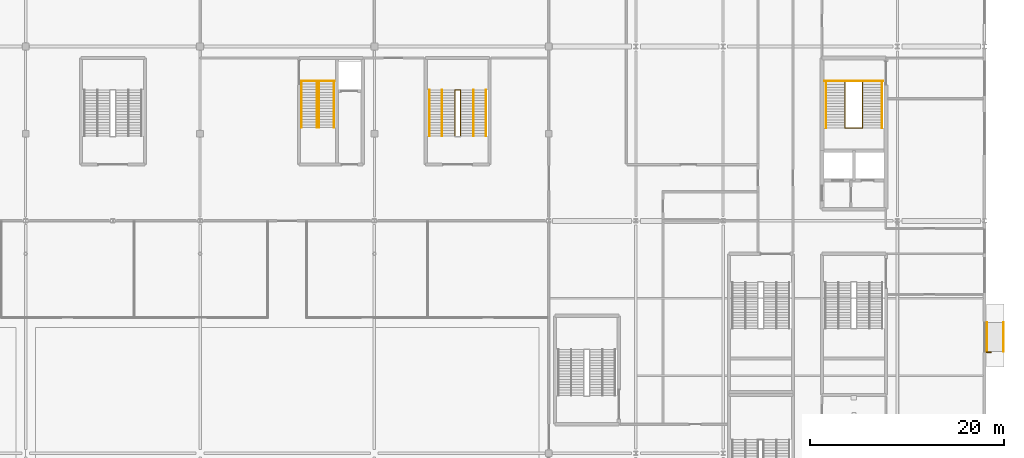
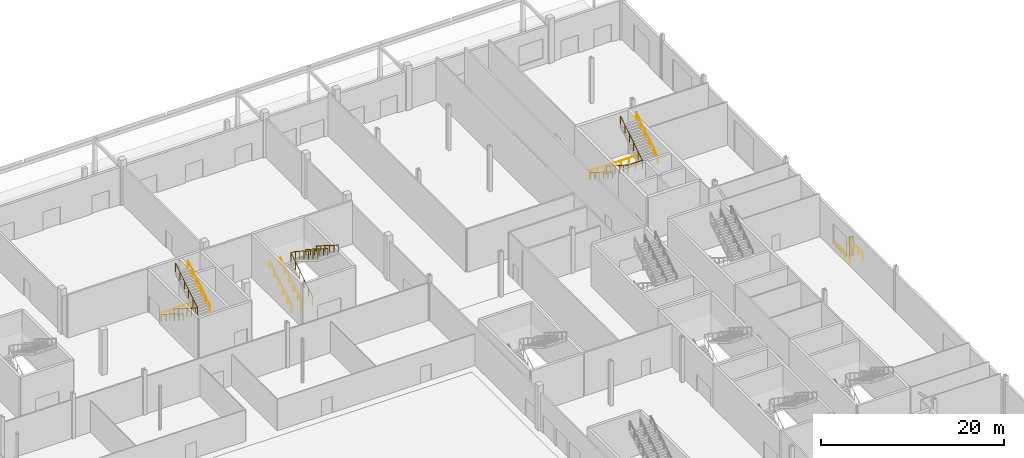
# One storey, part 81 of 84: 15 railings, 1 shading device.
"""IFC4 building model written with IfcOpenShell, lengths in metres."""

from ifc_helpers import new_model, si_unit, direction, frame, origin, origin_2d, place, context, subcontext, project, spatial, rectangle, circle, extrude, material, type_object, element, save


model = new_model("IFC4")

# Units and contexts
model_context = context("Model", 3, precision=1e-05, world=origin(), true_north=direction((0.0, 1.0)))
body_context = subcontext(model_context, "Body", "Model", "MODEL_VIEW")
ifc_project = project(units=[si_unit("LENGTHUNIT", "METRE"), si_unit("AREAUNIT", "SQUARE_METRE"), si_unit("VOLUMEUNIT", "CUBIC_METRE"), si_unit("PLANEANGLEUNIT", "RADIAN"), si_unit("MASSUNIT", "GRAM", prefix="KILO")], contexts=[model_context])

# Site, building, storey
site_placement = place(None, origin())
site = spatial("IfcSite", under=ifc_project, at=site_placement, CompositionType="ELEMENT")
building_placement = place(site_placement, origin())
building = spatial("IfcBuilding", under=site, at=building_placement, Name="Kisiwana Market Hall", CompositionType="ELEMENT")
storey_placement = place(building_placement, origin())
storey = spatial("IfcBuildingStorey", under=building, at=storey_placement, Name="L00", CompositionType="ELEMENT", Elevation=0.0)

# Railings
ifc_material_1 = material(Name="Steel S275", Category="steel")
railing_type_1 = type_object("IfcRailingType", Name="RL-GUARD-1100", PredefinedType="GUARDRAIL", material=ifc_material_1)
railing_1_placement = place(storey_placement, frame((183.60009765625, 98.3505859375, 0.0)))
element("IfcRailing", 1, at=railing_1_placement, inside=storey, type_object=railing_type_1, Name="Stair ST-E1-L00 inner-well guardrail (RL-159)", PredefinedType="GUARDRAIL", context=body_context, shape_type="SweptSolid", body=[
    extrude(circle(Radius=0.02392578125, at=origin_2d()), frame((0.0, 0.0, 1.076171875), z_axis=(0.0, -0.845995810448, 0.533189542944), x_axis=(1.0, 0.0, 0.0)), (0.0, 0.0, 1.0), 5.62646484375),
    extrude(circle(Radius=0.02392578125, at=origin_2d()), frame((0.0, -4.760009765625, 4.076171875), z_axis=(1.0, 0.0, 0.0), x_axis=(0.0, 1.0, 0.0)), (0.0, 0.0, 1.0), 1.7998046875),
    extrude(circle(Radius=0.02392578125, at=origin_2d()), frame((1.7998046875, -4.760009765625, 4.076171875), z_axis=(0.0, 0.845995810448, 0.533189542944), x_axis=(-1.0, 0.0, 0.0)), (0.0, 0.0, 1.0), 5.62646484375),
    extrude(circle(Radius=0.02099609375, at=origin_2d()), origin(), (0.0, 0.0, 1.0), 1.052001953125),
    extrude(circle(Radius=0.02099609375, at=origin_2d()), frame((0.0, -0.951904296875, 0.60009765625)), (0.0, 0.0, 1.0), 1.052001953125),
    extrude(circle(Radius=0.02099609375, at=origin_2d()), frame((0.0, -1.904052734375, 1.199951171875)), (0.0, 0.0, 1.0), 1.052001953125),
    extrude(circle(Radius=0.02099609375, at=origin_2d()), frame((0.0, -2.85595703125, 1.800048828125)), (0.0, 0.0, 1.0), 1.052001953125),
    extrude(circle(Radius=0.02099609375, at=origin_2d()), frame((0.0, -3.80810546875, 2.39990234375)), (0.0, 0.0, 1.0), 1.052001953125),
    extrude(circle(Radius=0.02099609375, at=origin_2d()), frame((0.0, -4.760009765625, 3.0)), (0.0, 0.0, 1.0), 1.052001953125),
    extrude(circle(Radius=0.02099609375, at=origin_2d()), frame((0.89990234375, -4.760009765625, 3.0)), (0.0, 0.0, 1.0), 1.052001953125),
    extrude(circle(Radius=0.02099609375, at=origin_2d()), frame((1.7998046875, -4.760009765625, 3.0)), (0.0, 0.0, 1.0), 1.052001953125),
    extrude(circle(Radius=0.02099609375, at=origin_2d()), frame((1.7998046875, -3.80810546875, 3.60009765625)), (0.0, 0.0, 1.0), 1.052001953125),
    extrude(circle(Radius=0.02099609375, at=origin_2d()), frame((1.7998046875, -2.85595703125, 4.199951171875)), (0.0, 0.0, 1.0), 1.052001953125),
    extrude(circle(Radius=0.02099609375, at=origin_2d()), frame((1.7998046875, -1.904052734375, 4.800048828125)), (0.0, 0.0, 1.0), 1.052001953125),
    extrude(circle(Radius=0.02099609375, at=origin_2d()), frame((1.7998046875, -0.951904296875, 5.39990234375)), (0.0, 0.0, 1.0), 1.052001953125),
    extrude(circle(Radius=0.02099609375, at=origin_2d()), frame((1.7998046875, 0.0, 6.0)), (0.0, 0.0, 1.0), 1.052001953125),
])
railing_2_placement = place(storey_placement, frame((181.47998046875, 98.430419921875, 0.0)))
element("IfcRailing", 2, at=railing_2_placement, inside=storey, type_object=railing_type_1, Name="Stair ST-E1-L00 landing edge guardrail (RL-162)", PredefinedType="GUARDRAIL", context=body_context, shape_type="SweptSolid", body=[
    extrude(circle(Radius=0.02392578125, at=origin_2d()), frame((0.0, 0.0, 1.076171875), z_axis=(1.0, 0.0, 0.0), x_axis=(0.0, 1.0, 0.0)), (0.0, 0.0, 1.0), 6.0400390625),
    extrude(circle(Radius=0.02099609375, at=origin_2d()), origin(), (0.0, 0.0, 1.0), 1.052001953125),
    extrude(circle(Radius=0.02099609375, at=origin_2d()), frame((1.006591796875, 0.0, 0.0)), (0.0, 0.0, 1.0), 1.052001953125),
    extrude(circle(Radius=0.02099609375, at=origin_2d()), frame((2.013427734375, 0.0, 0.0)), (0.0, 0.0, 1.0), 1.052001953125),
    extrude(circle(Radius=0.02099609375, at=origin_2d()), frame((3.02001953125, 0.0, 0.0)), (0.0, 0.0, 1.0), 1.052001953125),
    extrude(circle(Radius=0.02099609375, at=origin_2d()), frame((4.026611328125, 0.0, 0.0)), (0.0, 0.0, 1.0), 1.052001953125),
    extrude(circle(Radius=0.02099609375, at=origin_2d()), frame((5.033447265625, 0.0, 0.0)), (0.0, 0.0, 1.0), 1.052001953125),
    extrude(circle(Radius=0.02099609375, at=origin_2d()), frame((6.0400390625, 0.0, 0.0)), (0.0, 0.0, 1.0), 1.052001953125),
])
railing_3_placement = place(storey_placement, frame((129.06005859375, 98.390380859375, 0.0)))
element("IfcRailing", 3, at=railing_3_placement, inside=storey, type_object=railing_type_1, Name="Stair ST-N2-L00 inner-well guardrail (RL-175)", PredefinedType="GUARDRAIL", context=body_context, shape_type="SweptSolid", body=[
    extrude(circle(Radius=0.02392578125, at=origin_2d()), frame((0.0, 0.0, 1.076171875), z_axis=(0.0, -0.845983474072, 0.533209116198), x_axis=(1.0, 0.0, 0.0)), (0.0, 0.0, 1.0), 5.626220703125),
    extrude(circle(Radius=0.02392578125, at=origin_2d()), frame((0.0, -4.759765625, 4.076171875), z_axis=(1.0, 0.0, 0.0), x_axis=(0.0, 1.0, 0.0)), (0.0, 0.0, 1.0), 0.199951171875),
    extrude(circle(Radius=0.02392578125, at=origin_2d()), frame((0.199951171875, -4.759765625, 4.076171875), z_axis=(0.0, 0.845983474072, 0.533209116198), x_axis=(-1.0, 0.0, 0.0)), (0.0, 0.0, 1.0), 5.626220703125),
    extrude(circle(Radius=0.02099609375, at=origin_2d()), origin(), (0.0, 0.0, 1.0), 1.052001953125),
    extrude(circle(Radius=0.02099609375, at=origin_2d()), frame((0.0, -0.951904296875, 0.60009765625)), (0.0, 0.0, 1.0), 1.052001953125),
    extrude(circle(Radius=0.02099609375, at=origin_2d()), frame((0.0, -1.90380859375, 1.199951171875)), (0.0, 0.0, 1.0), 1.052001953125),
    extrude(circle(Radius=0.02099609375, at=origin_2d()), frame((0.0, -2.85595703125, 1.800048828125)), (0.0, 0.0, 1.0), 1.052001953125),
    extrude(circle(Radius=0.02099609375, at=origin_2d()), frame((0.0, -3.807861328125, 2.39990234375)), (0.0, 0.0, 1.0), 1.052001953125),
    extrude(circle(Radius=0.02099609375, at=origin_2d()), frame((0.0, -4.759765625, 3.0)), (0.0, 0.0, 1.0), 1.052001953125),
    extrude(circle(Radius=0.02099609375, at=origin_2d()), frame((0.199951171875, -4.759765625, 3.0)), (0.0, 0.0, 1.0), 1.052001953125),
    extrude(circle(Radius=0.02099609375, at=origin_2d()), frame((0.199951171875, -3.807861328125, 3.60009765625)), (0.0, 0.0, 1.0), 1.052001953125),
    extrude(circle(Radius=0.02099609375, at=origin_2d()), frame((0.199951171875, -2.85595703125, 4.199951171875)), (0.0, 0.0, 1.0), 1.052001953125),
    extrude(circle(Radius=0.02099609375, at=origin_2d()), frame((0.199951171875, -1.90380859375, 4.800048828125)), (0.0, 0.0, 1.0), 1.052001953125),
    extrude(circle(Radius=0.02099609375, at=origin_2d()), frame((0.199951171875, -0.951904296875, 5.39990234375)), (0.0, 0.0, 1.0), 1.052001953125),
    extrude(circle(Radius=0.02099609375, at=origin_2d()), frame((0.199951171875, 0.0, 6.0)), (0.0, 0.0, 1.0), 1.052001953125),
])
railing_4_placement = place(storey_placement, frame((127.419921875, 98.450439453125, 0.0)))
element("IfcRailing", 4, at=railing_4_placement, inside=storey, type_object=railing_type_1, Name="Stair ST-N2-L00 landing edge guardrail (RL-178)", PredefinedType="GUARDRAIL", context=body_context, shape_type="SweptSolid", body=[
    extrude(circle(Radius=0.02392578125, at=origin_2d()), frame((0.0, 0.0, 1.076171875), z_axis=(1.0, 0.0, 0.0), x_axis=(0.0, 1.0, 0.0)), (0.0, 0.0, 1.0), 3.47998046875),
    extrude(circle(Radius=0.02099609375, at=origin_2d()), origin(), (0.0, 0.0, 1.0), 1.052001953125),
    extrude(circle(Radius=0.02099609375, at=origin_2d()), frame((1.159912109375, 0.0, 0.0)), (0.0, 0.0, 1.0), 1.052001953125),
    extrude(circle(Radius=0.02099609375, at=origin_2d()), frame((2.320068359375, 0.0, 0.0)), (0.0, 0.0, 1.0), 1.052001953125),
    extrude(circle(Radius=0.02099609375, at=origin_2d()), frame((3.47998046875, 0.0, 0.0)), (0.0, 0.0, 1.0), 1.052001953125),
])
railing_5_placement = place(storey_placement, frame((143.320068359375, 92.760009765625, 0.0)))
element("IfcRailing", 5, at=railing_5_placement, inside=storey, type_object=railing_type_1, Name="Stair ST-N6-L00 inner-well guardrail (RL-305)", PredefinedType="GUARDRAIL", context=body_context, shape_type="SweptSolid", body=[
    extrude(circle(Radius=0.02392578125, at=origin_2d()), frame((0.0, 0.0, 1.076171875), z_axis=(0.0, 0.845995810448, 0.533189542944), x_axis=(-1.0, 0.0, 0.0)), (0.0, 0.0, 1.0), 5.62646484375),
    extrude(circle(Radius=0.02392578125, at=origin_2d()), frame((0.0, 4.760009765625, 4.076171875), z_axis=(1.0, 0.0, 0.0), x_axis=(0.0, 1.0, 0.0)), (0.0, 0.0, 1.0), 0.559814453125),
    extrude(circle(Radius=0.02392578125, at=origin_2d()), frame((0.559814453125, 4.760009765625, 4.076171875), z_axis=(0.0, -0.845995810448, 0.533189542944), x_axis=(1.0, 0.0, 0.0)), (0.0, 0.0, 1.0), 5.62646484375),
    extrude(circle(Radius=0.02099609375, at=origin_2d()), origin(), (0.0, 0.0, 1.0), 1.052001953125),
    extrude(circle(Radius=0.02099609375, at=origin_2d()), frame((0.0, 0.951904296875, 0.60009765625)), (0.0, 0.0, 1.0), 1.052001953125),
    extrude(circle(Radius=0.02099609375, at=origin_2d()), frame((0.0, 1.904052734375, 1.199951171875)), (0.0, 0.0, 1.0), 1.052001953125),
    extrude(circle(Radius=0.02099609375, at=origin_2d()), frame((0.0, 2.85595703125, 1.800048828125)), (0.0, 0.0, 1.0), 1.052001953125),
    extrude(circle(Radius=0.02099609375, at=origin_2d()), frame((0.0, 3.80810546875, 2.39990234375)), (0.0, 0.0, 1.0), 1.052001953125),
    extrude(circle(Radius=0.02099609375, at=origin_2d()), frame((0.0, 4.760009765625, 3.0)), (0.0, 0.0, 1.0), 1.052001953125),
    extrude(circle(Radius=0.02099609375, at=origin_2d()), frame((0.559814453125, 4.760009765625, 3.0)), (0.0, 0.0, 1.0), 1.052001953125),
    extrude(circle(Radius=0.02099609375, at=origin_2d()), frame((0.559814453125, 3.80810546875, 3.60009765625)), (0.0, 0.0, 1.0), 1.052001953125),
    extrude(circle(Radius=0.02099609375, at=origin_2d()), frame((0.559814453125, 2.85595703125, 4.199951171875)), (0.0, 0.0, 1.0), 1.052001953125),
    extrude(circle(Radius=0.02099609375, at=origin_2d()), frame((0.559814453125, 1.904052734375, 4.800048828125)), (0.0, 0.0, 1.0), 1.052001953125),
    extrude(circle(Radius=0.02099609375, at=origin_2d()), frame((0.559814453125, 0.951904296875, 5.39990234375)), (0.0, 0.0, 1.0), 1.052001953125),
    extrude(circle(Radius=0.02099609375, at=origin_2d()), frame((0.559814453125, 0.0, 6.0)), (0.0, 0.0, 1.0), 1.052001953125),
])
ifc_material_2 = material(Name="Steel S275", Category="steel")
railing_type_2 = type_object("IfcRailingType", Name="RL-HAND-900", PredefinedType="HANDRAIL", material=ifc_material_2)
for number, where, name in (
    (6, (198.260009765625, 70.5, -0.25), "East Foyer North Ramp handrail L 900 RL-011"),
    (7, (199.93994140625, 70.5, -0.25), "East Foyer North Ramp handrail R 900 RL-012"),
):
    element("IfcRailing", number, at=place(storey_placement, frame(where)), inside=storey, type_object=railing_type_2, Name=name, PredefinedType="HANDRAIL", context=body_context, shape_type="SweptSolid", body=[
        extrude(circle(Radius=0.02392578125, at=origin_2d()), frame((0.0, 0.0, 0.8759765625), z_axis=(0.0, 0.996545758245, 0.083045479854), x_axis=(-1.0, 0.0, 0.0)), (0.0, 0.0, 1.0), 3.010498046875),
        extrude(circle(Radius=0.02099609375, at=origin_2d()), origin(), (0.0, 0.0, 1.0), 0.851806640625),
        extrude(circle(Radius=0.02099609375, at=origin_2d()), frame((0.0, 1.0, 0.083251953125)), (0.0, 0.0, 1.0), 0.851806640625),
        extrude(circle(Radius=0.02099609375, at=origin_2d()), frame((0.0, 2.0, 0.166748046875)), (0.0, 0.0, 1.0), 0.851806640625),
        extrude(circle(Radius=0.02099609375, at=origin_2d()), frame((0.0, 3.0, 0.25)), (0.0, 0.0, 1.0), 0.851806640625),
    ])
railing_6_placement = place(storey_placement, frame((181.610107421875, 98.3505859375, 0.0)))
element("IfcRailing", 8, at=railing_6_placement, inside=storey, type_object=railing_type_2, Name="Stair ST-E1-L00 flight 1 handrail (RL-160)", PredefinedType="HANDRAIL", context=body_context, shape_type="SweptSolid", body=[
    extrude(circle(Radius=0.02392578125, at=origin_2d()), frame((0.0, 0.0, 0.8759765625), z_axis=(0.0, -0.845995810448, 0.533189542944), x_axis=(1.0, 0.0, 0.0)), (0.0, 0.0, 1.0), 5.62646484375),
    extrude(circle(Radius=0.02099609375, at=origin_2d()), origin(), (0.0, 0.0, 1.0), 0.851806640625),
    extrude(circle(Radius=0.02099609375, at=origin_2d()), frame((0.0, -0.951904296875, 0.60009765625)), (0.0, 0.0, 1.0), 0.851806640625),
    extrude(circle(Radius=0.02099609375, at=origin_2d()), frame((0.0, -1.904052734375, 1.199951171875)), (0.0, 0.0, 1.0), 0.851806640625),
    extrude(circle(Radius=0.02099609375, at=origin_2d()), frame((0.0, -2.85595703125, 1.800048828125)), (0.0, 0.0, 1.0), 0.851806640625),
    extrude(circle(Radius=0.02099609375, at=origin_2d()), frame((0.0, -3.80810546875, 2.39990234375)), (0.0, 0.0, 1.0), 0.851806640625),
    extrude(circle(Radius=0.02099609375, at=origin_2d()), frame((0.0, -4.760009765625, 3.0)), (0.0, 0.0, 1.0), 0.851806640625),
])
railing_7_placement = place(storey_placement, frame((187.389892578125, 93.590576171875, 3.0)))
element("IfcRailing", 9, at=railing_7_placement, inside=storey, type_object=railing_type_2, Name="Stair ST-E1-L00 flight 2 handrail (RL-161)", PredefinedType="HANDRAIL", context=body_context, shape_type="SweptSolid", body=[
    extrude(circle(Radius=0.02392578125, at=origin_2d()), frame((0.0, 0.0, 0.8759765625), z_axis=(0.0, 0.845995810448, 0.533189542944), x_axis=(-1.0, 0.0, 0.0)), (0.0, 0.0, 1.0), 5.62646484375),
    extrude(circle(Radius=0.02099609375, at=origin_2d()), origin(), (0.0, 0.0, 1.0), 0.851806640625),
    extrude(circle(Radius=0.02099609375, at=origin_2d()), frame((0.0, 0.951904296875, 0.60009765625)), (0.0, 0.0, 1.0), 0.851806640625),
    extrude(circle(Radius=0.02099609375, at=origin_2d()), frame((0.0, 1.904052734375, 1.199951171875)), (0.0, 0.0, 1.0), 0.851806640625),
    extrude(circle(Radius=0.02099609375, at=origin_2d()), frame((0.0, 2.85595703125, 1.800048828125)), (0.0, 0.0, 1.0), 0.851806640625),
    extrude(circle(Radius=0.02099609375, at=origin_2d()), frame((0.0, 3.80810546875, 2.39990234375)), (0.0, 0.0, 1.0), 0.851806640625),
    extrude(circle(Radius=0.02099609375, at=origin_2d()), frame((0.0, 4.760009765625, 3.0)), (0.0, 0.0, 1.0), 0.851806640625),
])
railing_8_placement = place(storey_placement, frame((127.47998046875, 98.390380859375, 0.0)))
element("IfcRailing", 10, at=railing_8_placement, inside=storey, type_object=railing_type_2, Name="Stair ST-N2-L00 flight 1 handrail (RL-176)", PredefinedType="HANDRAIL", context=body_context, shape_type="SweptSolid", body=[
    extrude(circle(Radius=0.02392578125, at=origin_2d()), frame((0.0, 0.0, 0.8759765625), z_axis=(0.0, -0.845983474072, 0.533209116198), x_axis=(1.0, 0.0, 0.0)), (0.0, 0.0, 1.0), 5.626220703125),
    extrude(circle(Radius=0.02099609375, at=origin_2d()), origin(), (0.0, 0.0, 1.0), 0.851806640625),
    extrude(circle(Radius=0.02099609375, at=origin_2d()), frame((0.0, -0.951904296875, 0.60009765625)), (0.0, 0.0, 1.0), 0.851806640625),
    extrude(circle(Radius=0.02099609375, at=origin_2d()), frame((0.0, -1.90380859375, 1.199951171875)), (0.0, 0.0, 1.0), 0.851806640625),
    extrude(circle(Radius=0.02099609375, at=origin_2d()), frame((0.0, -2.85595703125, 1.800048828125)), (0.0, 0.0, 1.0), 0.851806640625),
    extrude(circle(Radius=0.02099609375, at=origin_2d()), frame((0.0, -3.807861328125, 2.39990234375)), (0.0, 0.0, 1.0), 0.851806640625),
    extrude(circle(Radius=0.02099609375, at=origin_2d()), frame((0.0, -4.759765625, 3.0)), (0.0, 0.0, 1.0), 0.851806640625),
])
railing_9_placement = place(storey_placement, frame((130.840087890625, 93.630615234375, 3.0)))
element("IfcRailing", 11, at=railing_9_placement, inside=storey, type_object=railing_type_2, Name="Stair ST-N2-L00 flight 2 handrail (RL-177)", PredefinedType="HANDRAIL", context=body_context, shape_type="SweptSolid", body=[
    extrude(circle(Radius=0.02392578125, at=origin_2d()), frame((0.0, 0.0, 0.8759765625), z_axis=(0.0, 0.845983474072, 0.533209116198), x_axis=(-1.0, 0.0, 0.0)), (0.0, 0.0, 1.0), 5.626220703125),
    extrude(circle(Radius=0.02099609375, at=origin_2d()), origin(), (0.0, 0.0, 1.0), 0.851806640625),
    extrude(circle(Radius=0.02099609375, at=origin_2d()), frame((0.0, 0.951904296875, 0.60009765625)), (0.0, 0.0, 1.0), 0.851806640625),
    extrude(circle(Radius=0.02099609375, at=origin_2d()), frame((0.0, 1.90380859375, 1.199951171875)), (0.0, 0.0, 1.0), 0.851806640625),
    extrude(circle(Radius=0.02099609375, at=origin_2d()), frame((0.0, 2.85595703125, 1.800048828125)), (0.0, 0.0, 1.0), 0.851806640625),
    extrude(circle(Radius=0.02099609375, at=origin_2d()), frame((0.0, 3.807861328125, 2.39990234375)), (0.0, 0.0, 1.0), 0.851806640625),
    extrude(circle(Radius=0.02099609375, at=origin_2d()), frame((0.0, 4.759765625, 3.0)), (0.0, 0.0, 1.0), 0.851806640625),
])
railing_10_placement = place(storey_placement, frame((140.669921875, 92.760009765625, 0.0)))
element("IfcRailing", 12, at=railing_10_placement, inside=storey, type_object=railing_type_2, Name="Stair ST-N6-L00 flight 1 handrail (RL-306)", PredefinedType="HANDRAIL", context=body_context, shape_type="SweptSolid", body=[
    extrude(circle(Radius=0.02392578125, at=origin_2d()), frame((0.0, 0.0, 0.8759765625), z_axis=(0.0, 0.845995810448, 0.533189542944), x_axis=(-1.0, 0.0, 0.0)), (0.0, 0.0, 1.0), 5.62646484375),
    extrude(circle(Radius=0.02099609375, at=origin_2d()), origin(), (0.0, 0.0, 1.0), 0.851806640625),
    extrude(circle(Radius=0.02099609375, at=origin_2d()), frame((0.0, 0.951904296875, 0.60009765625)), (0.0, 0.0, 1.0), 0.851806640625),
    extrude(circle(Radius=0.02099609375, at=origin_2d()), frame((0.0, 1.904052734375, 1.199951171875)), (0.0, 0.0, 1.0), 0.851806640625),
    extrude(circle(Radius=0.02099609375, at=origin_2d()), frame((0.0, 2.85595703125, 1.800048828125)), (0.0, 0.0, 1.0), 0.851806640625),
    extrude(circle(Radius=0.02099609375, at=origin_2d()), frame((0.0, 3.80810546875, 2.39990234375)), (0.0, 0.0, 1.0), 0.851806640625),
    extrude(circle(Radius=0.02099609375, at=origin_2d()), frame((0.0, 4.760009765625, 3.0)), (0.0, 0.0, 1.0), 0.851806640625),
])
railing_11_placement = place(storey_placement, frame((146.530029296875, 97.52001953125, 3.0)))
element("IfcRailing", 13, at=railing_11_placement, inside=storey, type_object=railing_type_2, Name="Stair ST-N6-L00 flight 2 handrail (RL-307)", PredefinedType="HANDRAIL", context=body_context, shape_type="SweptSolid", body=[
    extrude(circle(Radius=0.02392578125, at=origin_2d()), frame((0.0, 0.0, 0.8759765625), z_axis=(0.0, -0.845995810448, 0.533189542944), x_axis=(1.0, 0.0, 0.0)), (0.0, 0.0, 1.0), 5.62646484375),
    extrude(circle(Radius=0.02099609375, at=origin_2d()), origin(), (0.0, 0.0, 1.0), 0.851806640625),
    extrude(circle(Radius=0.02099609375, at=origin_2d()), frame((0.0, -0.951904296875, 0.60009765625)), (0.0, 0.0, 1.0), 0.851806640625),
    extrude(circle(Radius=0.02099609375, at=origin_2d()), frame((0.0, -1.904052734375, 1.199951171875)), (0.0, 0.0, 1.0), 0.851806640625),
    extrude(circle(Radius=0.02099609375, at=origin_2d()), frame((0.0, -2.85595703125, 1.800048828125)), (0.0, 0.0, 1.0), 0.851806640625),
    extrude(circle(Radius=0.02099609375, at=origin_2d()), frame((0.0, -3.80810546875, 2.39990234375)), (0.0, 0.0, 1.0), 0.851806640625),
    extrude(circle(Radius=0.02099609375, at=origin_2d()), frame((0.0, -4.760009765625, 3.0)), (0.0, 0.0, 1.0), 0.851806640625),
])
railing_12_placement = place(storey_placement, frame((141.989990234375, 92.760009765625, 0.0)))
element("IfcRailing", 14, at=railing_12_placement, inside=storey, type_object=railing_type_2, Name="Stair ST-N6-L00 flight 1 intermediate handrail (RL-308)", PredefinedType="HANDRAIL", context=body_context, shape_type="SweptSolid", body=[
    extrude(circle(Radius=0.02392578125, at=origin_2d()), frame((0.0, 0.0, 0.8759765625), z_axis=(0.0, 0.845995810448, 0.533189542944), x_axis=(-1.0, 0.0, 0.0)), (0.0, 0.0, 1.0), 5.62646484375),
    extrude(circle(Radius=0.02099609375, at=origin_2d()), origin(), (0.0, 0.0, 1.0), 0.851806640625),
    extrude(circle(Radius=0.02099609375, at=origin_2d()), frame((0.0, 0.951904296875, 0.60009765625)), (0.0, 0.0, 1.0), 0.851806640625),
    extrude(circle(Radius=0.02099609375, at=origin_2d()), frame((0.0, 1.904052734375, 1.199951171875)), (0.0, 0.0, 1.0), 0.851806640625),
    extrude(circle(Radius=0.02099609375, at=origin_2d()), frame((0.0, 2.85595703125, 1.800048828125)), (0.0, 0.0, 1.0), 0.851806640625),
    extrude(circle(Radius=0.02099609375, at=origin_2d()), frame((0.0, 3.80810546875, 2.39990234375)), (0.0, 0.0, 1.0), 0.851806640625),
    extrude(circle(Radius=0.02099609375, at=origin_2d()), frame((0.0, 4.760009765625, 3.0)), (0.0, 0.0, 1.0), 0.851806640625),
])
railing_13_placement = place(storey_placement, frame((145.2099609375, 97.52001953125, 3.0)))
element("IfcRailing", 15, at=railing_13_placement, inside=storey, type_object=railing_type_2, Name="Stair ST-N6-L00 flight 2 intermediate handrail (RL-309)", PredefinedType="HANDRAIL", context=body_context, shape_type="SweptSolid", body=[
    extrude(circle(Radius=0.02392578125, at=origin_2d()), frame((0.0, 0.0, 0.8759765625), z_axis=(0.0, -0.845995810448, 0.533189542944), x_axis=(1.0, 0.0, 0.0)), (0.0, 0.0, 1.0), 5.62646484375),
    extrude(circle(Radius=0.02099609375, at=origin_2d()), origin(), (0.0, 0.0, 1.0), 0.851806640625),
    extrude(circle(Radius=0.02099609375, at=origin_2d()), frame((0.0, -0.951904296875, 0.60009765625)), (0.0, 0.0, 1.0), 0.851806640625),
    extrude(circle(Radius=0.02099609375, at=origin_2d()), frame((0.0, -1.904052734375, 1.199951171875)), (0.0, 0.0, 1.0), 0.851806640625),
    extrude(circle(Radius=0.02099609375, at=origin_2d()), frame((0.0, -2.85595703125, 1.800048828125)), (0.0, 0.0, 1.0), 0.851806640625),
    extrude(circle(Radius=0.02099609375, at=origin_2d()), frame((0.0, -3.80810546875, 2.39990234375)), (0.0, 0.0, 1.0), 0.851806640625),
    extrude(circle(Radius=0.02099609375, at=origin_2d()), frame((0.0, -4.760009765625, 3.0)), (0.0, 0.0, 1.0), 0.851806640625),
])

# Shading device
ifc_material_3 = material(Name="Aluminium alloy 6063-T6", Category="aluminium")
shading_device_type = type_object("IfcShadingDeviceType", Name="SHD-SHUTTER-V", PredefinedType="SHUTTER", material=ifc_material_3)
shading_device_placement = place(storey_placement, frame((198.419921875, 70.419921875, 0.849853515625), z_axis=(0.0, 0.0, 1.0), x_axis=(0.0, 1.0, 0.0)))
element("IfcShadingDevice", 16, at=shading_device_placement, inside=storey, type_object=shading_device_type, Name="Vertical solar fin SHD-007 SD-007", PredefinedType="SHUTTER", context=body_context, shape_type="SweptSolid", body=[
    extrude(rectangle(XDim=0.1201171875, YDim=0.550048828125, at=origin_2d()), origin(), (0.0, 0.0, 1.0), 2.60009765625),
])

save(model, "model.ifc")
